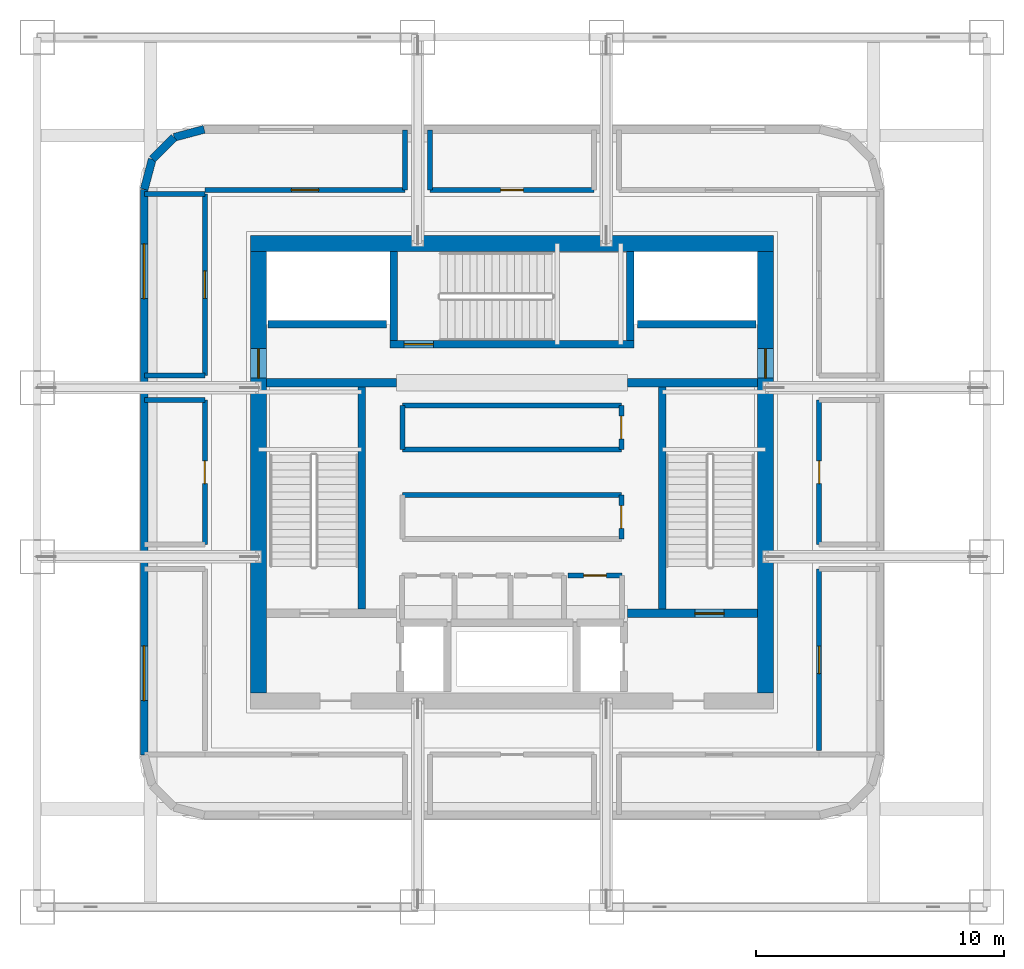
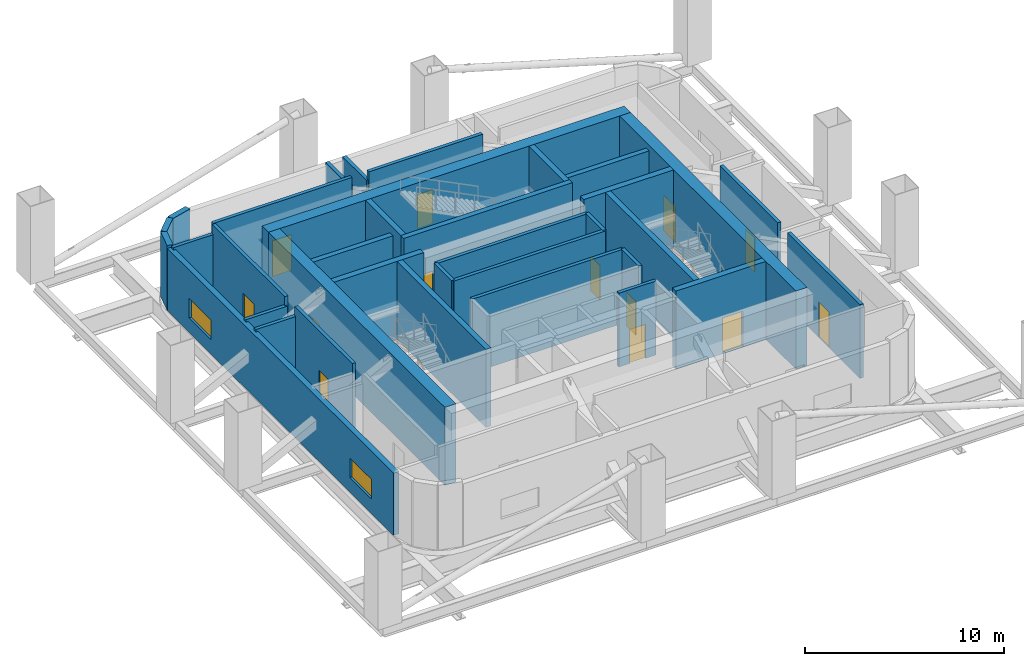
# One storey, part 5 of 9: 35 walls, 13 doors, 2 windows, 15 openings.
"""IFC4 building model written with IfcOpenShell, lengths in metres."""

from ifc_helpers import new_model, si_unit, direction, frame, frame_2d, origin, place, context, subcontext, project, spatial, rectangle, extrude, material, layer, layer_set, type_object, element, fill, save


model = new_model("IFC4")

# Units and contexts
model_context = context("Model", 3, precision=1e-05, world=origin(), true_north=direction((0.0, 1.0)))
body_context = subcontext(model_context, "Body", "Model", "MODEL_VIEW")
ifc_project = project(units=[si_unit("LENGTHUNIT", "METRE"), si_unit("AREAUNIT", "SQUARE_METRE"), si_unit("VOLUMEUNIT", "CUBIC_METRE"), si_unit("PLANEANGLEUNIT", "RADIAN"), si_unit("MASSUNIT", "GRAM", prefix="KILO")], contexts=[model_context])

# Site, building, storey
site_placement = place(None, origin())
site = spatial("IfcSite", under=ifc_project, at=site_placement, CompositionType="ELEMENT")
building_placement = place(site_placement, origin())
building = spatial("IfcBuilding", under=site, at=building_placement, Name="Punatoya Terracotta Tower", CompositionType="ELEMENT")
storey_placement = place(building_placement, frame((0.0, 0.0, 130.199951171875)))
storey = spatial("IfcBuildingStorey", under=building, at=storey_placement, Name="L30", CompositionType="ELEMENT", Elevation=130.199951171875)

# Wall, opening, door
ifc_material_1 = material(Name="Concrete C60/75", Category="concrete")
ifc_layer_1 = layer(ifc_material_1, 0.64990234375)
ifc_layer_set_1 = layer_set([ifc_layer_1], Name="Concrete C60/75")
wall_type_1 = type_object("IfcWallType", Name="WL-COR-650", PredefinedType="SHEAR", material=ifc_layer_set_1)
wall_1_placement = place(storey_placement, frame((-10.199951171875, -8.875, 0.0), z_axis=(0.0, 0.0, 1.0), x_axis=(0.0, 1.0, 0.0)))
wall_1 = element("IfcWall", 1, at=wall_1_placement, inside=storey, type_object=wall_type_1, Name="L30 Core Shear Wall W", PredefinedType="SHEAR", context=body_context, shape_type="SweptSolid", body=[
    extrude(rectangle(XDim=17.75, YDim=0.64990234375, at=frame_2d((8.875, 0.0))), origin(), (0.0, 0.0, 1.0), 4.800048828125),
])
opening_1_placement = place(wall_1_placement, frame((12.6650390625, 0.0, 0.0)))
opening_1 = element("IfcOpeningElement", 2, at=opening_1_placement, cuts=wall_1, Name="Opening SD-01", PredefinedType="OPENING", context=body_context, shape_type="SweptSolid", body=[
    extrude(rectangle(XDim=1.179931640625, YDim=2.199951171875, at=frame_2d((0.58984375, 1.10009765625))), frame((0.0, 0.3349609375, 0.0), z_axis=(0.0, -1.0, 0.0), x_axis=(1.0, 0.0, 0.0)), (0.0, 0.0, 1.0), 0.669921875),
])
ifc_material_2 = material(Name="Galvanised Steel Pressurized Stair Fire Door", Category="steel")
door_type_1 = type_object("IfcDoorType", Name="DR-STR-1180", OperationType="NOTDEFINED", PredefinedType="DOOR", material=ifc_material_2)
door_1_placement = place(opening_1_placement, origin())
door_1 = element("IfcDoor", 3, at=door_1_placement, inside=storey, type_object=door_type_1, Name="L30 Central Lift Lobby West Fire Door", OperationType="SINGLE_SWING_LEFT", OverallHeight=2.199951171875, OverallWidth=1.179931640625, PredefinedType="DOOR", context=body_context, shape_type="SweptSolid", body=[
    extrude(rectangle(XDim=1.179931640625, YDim=2.199951171875, at=frame_2d((0.58984375, 1.10009765625))), frame((0.0, 0.02490234375, 0.0), z_axis=(0.0, -1.0, 0.0), x_axis=(1.0, 0.0, 0.0)), (0.0, 0.0, 1.0), 0.050048828125),
])
fill(opening_1, door_1)

# Wall
wall_2_placement = place(storey_placement, frame((-10.52490234375, 9.199951171875, 0.0), z_axis=(0.0, 0.0, 1.0), x_axis=(1.0, 0.0, 0.0)))
element("IfcWall", 4, at=wall_2_placement, inside=storey, type_object=wall_type_1, Name="L30 Core Shear Wall N", PredefinedType="SHEAR", context=body_context, shape_type="SweptSolid", body=[
    extrude(rectangle(XDim=21.0498046875, YDim=0.64990234375, at=frame_2d((10.52490234375, 0.0))), origin(), (0.0, 0.0, 1.0), 4.800048828125),
])

# Wall, opening, door
wall_3_placement = place(storey_placement, frame((10.199951171875, 8.875, 0.0), z_axis=(0.0, 0.0, 1.0), x_axis=(0.0, -1.0, 0.0)))
wall_3 = element("IfcWall", 5, at=wall_3_placement, inside=storey, type_object=wall_type_1, Name="L30 Core Shear Wall E", PredefinedType="SHEAR", context=body_context, shape_type="SweptSolid", body=[
    extrude(rectangle(XDim=17.75, YDim=0.64990234375, at=frame_2d((8.875, 0.0))), origin(), (0.0, 0.0, 1.0), 4.800048828125),
])
opening_2_placement = place(wall_3_placement, frame((3.905029296875, 0.0, 0.0)))
opening_2 = element("IfcOpeningElement", 6, at=opening_2_placement, cuts=wall_3, Name="Opening SD-01", PredefinedType="OPENING", context=body_context, shape_type="SweptSolid", body=[
    extrude(rectangle(XDim=1.179931640625, YDim=2.199951171875, at=frame_2d((0.58984375, 1.10009765625))), frame((0.0, 0.3349609375, 0.0), z_axis=(0.0, -1.0, 0.0), x_axis=(1.0, 0.0, 0.0)), (0.0, 0.0, 1.0), 0.669921875),
])
door_2_placement = place(opening_2_placement, origin())
door_2 = element("IfcDoor", 7, at=door_2_placement, inside=storey, type_object=door_type_1, Name="L30 Central Lift Lobby East Fire Door", OperationType="SINGLE_SWING_RIGHT", OverallHeight=2.199951171875, OverallWidth=1.179931640625, PredefinedType="DOOR", context=body_context, shape_type="SweptSolid", body=[
    extrude(rectangle(XDim=1.179931640625, YDim=2.199951171875, at=frame_2d((0.58984375, 1.10009765625))), frame((0.0, 0.02490234375, 0.0), z_axis=(0.0, -1.0, 0.0), x_axis=(1.0, 0.0, 0.0)), (0.0, 0.0, 1.0), 0.050048828125),
])
fill(opening_2, door_2)

# Walls
ifc_material_3 = material(Name="Precast concrete C40/50", Category="concrete")
ifc_layer_2 = layer(ifc_material_3, 0.320068359375)
ifc_layer_set_2 = layer_set([ifc_layer_2], Name="Precast concrete C40/50")
wall_type_2 = type_object("IfcWallType", Name="WL-EXT-320", PredefinedType="SOLIDWALL", material=ifc_layer_set_2)
wall_4_placement = place(storey_placement, frame((-12.386962890625, 13.800048828125, 0.0), z_axis=(0.0, 0.0, 1.0), x_axis=(-0.966283375382, -0.25748094776, 0.0)))
element("IfcWall", 8, at=wall_4_placement, inside=storey, type_object=wall_type_2, Name="L30 Rounded Terracotta Corner Pier 10", PredefinedType="SOLIDWALL", context=body_context, shape_type="SweptSolid", body=[
    extrude(rectangle(XDim=1.25439453125, YDim=0.320068359375, at=frame_2d((0.627197265625, 0.0))), origin(), (0.0, 0.0, 1.0), 3.984130859375),
])
wall_5_placement = place(storey_placement, frame((-13.59912109375, 13.47705078125, 0.0), z_axis=(0.0, 0.0, 1.0), x_axis=(-0.707106781187, -0.707106781187, 0.0)))
element("IfcWall", 9, at=wall_5_placement, inside=storey, type_object=wall_type_2, Name="L30 Rounded Terracotta Corner Pier 11", PredefinedType="SOLIDWALL", context=body_context, shape_type="SweptSolid", body=[
    extrude(rectangle(XDim=1.24169921875, YDim=0.320068359375, at=frame_2d((0.620849609375, 0.0))), origin(), (0.0, 0.0, 1.0), 3.984130859375),
])
wall_6_placement = place(storey_placement, frame((-14.47705078125, 12.59912109375, 0.0), z_axis=(0.0, 0.0, 1.0), x_axis=(-0.25748094776, -0.966283375382, 0.0)))
element("IfcWall", 10, at=wall_6_placement, inside=storey, type_object=wall_type_2, Name="L30 Rounded Terracotta Corner Pier 12", PredefinedType="SOLIDWALL", context=body_context, shape_type="SweptSolid", body=[
    extrude(rectangle(XDim=1.25439453125, YDim=0.320068359375, at=frame_2d((0.627197265625, 0.0))), origin(), (0.0, 0.0, 1.0), 3.984130859375),
])

# Wall, openings, windows
wall_7_placement = place(storey_placement, frame((-14.800048828125, 11.386962890625, 0.0), z_axis=(0.0, 0.0, 1.0), x_axis=(0.0, -1.0, 0.0)))
wall_7 = element("IfcWall", 11, at=wall_7_placement, inside=storey, type_object=wall_type_2, Name="L30 Terracotta Louvre Plant Enclosure W", PredefinedType="SOLIDWALL", context=body_context, shape_type="SweptSolid", body=[
    extrude(rectangle(XDim=22.77392578125, YDim=0.320068359375, at=frame_2d((11.386962890625, 0.0))), origin(), (0.0, 0.0, 1.0), 3.833984375),
])
opening_3_placement = place(wall_7_placement, frame((2.199951171875, 0.0, 0.89990234375)))
opening_3 = element("IfcOpeningElement", 12, at=opening_3_placement, cuts=wall_7, Name="Opening WN-09", PredefinedType="OPENING", context=body_context, shape_type="SweptSolid", body=[
    extrude(rectangle(XDim=2.199951171875, YDim=1.199951171875, at=frame_2d((1.10009765625, 0.60009765625))), frame((0.0, 0.169921875, 0.0), z_axis=(0.0, -1.0, 0.0), x_axis=(1.0, 0.0, 0.0)), (0.0, 0.0, 1.0), 0.340087890625),
])
opening_4_placement = place(wall_7_placement, frame((18.373779296875, 0.0, 0.89990234375)))
opening_4 = element("IfcOpeningElement", 13, at=opening_4_placement, cuts=wall_7, Name="Opening WN-09", PredefinedType="OPENING", context=body_context, shape_type="SweptSolid", body=[
    extrude(rectangle(XDim=2.199951171875, YDim=1.199951171875, at=frame_2d((1.10009765625, 0.60009765625))), frame((0.0, 0.169921875, 0.0), z_axis=(0.0, -1.0, 0.0), x_axis=(1.0, 0.0, 0.0)), (0.0, 0.0, 1.0), 0.340087890625),
])
ifc_material_4 = material(Name="Aluminium 6063-T6 + Double Low-E Glass", Category="aluminium")
window_type = type_object("IfcWindowType", Name="WIN-CLR-2200", PartitioningType="SINGLE_PANEL", PredefinedType="WINDOW", material=ifc_material_4)
window_1_placement = place(opening_3_placement, origin())
window_1 = element("IfcWindow", 14, at=window_1_placement, inside=storey, type_object=window_type, Name="L30 Refuge Daylight Window W1", OverallHeight=1.199951171875, OverallWidth=2.199951171875, PartitioningType="SINGLE_PANEL", PredefinedType="WINDOW", context=body_context, shape_type="SweptSolid", body=[
    extrude(rectangle(XDim=2.199951171875, YDim=1.199951171875, at=frame_2d((1.10009765625, 0.60009765625))), frame((0.0, 0.030029296875, 0.0), z_axis=(0.0, -1.0, 0.0), x_axis=(1.0, 0.0, 0.0)), (0.0, 0.0, 1.0), 0.06005859375),
])
fill(opening_3, window_1)
window_2_placement = place(opening_4_placement, origin())
window_2 = element("IfcWindow", 15, at=window_2_placement, inside=storey, type_object=window_type, Name="L30 Refuge Daylight Window W2", OverallHeight=1.199951171875, OverallWidth=2.199951171875, PartitioningType="SINGLE_PANEL", PredefinedType="WINDOW", context=body_context, shape_type="SweptSolid", body=[
    extrude(rectangle(XDim=2.199951171875, YDim=1.199951171875, at=frame_2d((1.10009765625, 0.60009765625))), frame((0.0, 0.030029296875, 0.0), z_axis=(0.0, -1.0, 0.0), x_axis=(1.0, 0.0, 0.0)), (0.0, 0.0, 1.0), 0.06005859375),
])
fill(opening_4, window_2)

# Wall, opening, door
ifc_material_5 = material(Name="Concrete C40/50", Category="concrete")
ifc_layer_3 = layer(ifc_material_5, 0.199951171875)
ifc_layer_set_3 = layer_set([ifc_layer_3], Name="Concrete C40/50")
wall_type_3 = type_object("IfcWallType", Name="WL-INT-200", PredefinedType="SOLIDWALL", material=ifc_layer_set_3)
wall_8_placement = place(storey_placement, frame((4.419921875, -4.159912109375, 0.0), z_axis=(0.0, 0.0, 1.0), x_axis=(-1.0, 0.0, 0.0)))
wall_8 = element("IfcWall", 16, at=wall_8_placement, inside=storey, type_object=wall_type_3, Name="L30 Core Electrical Switchgear Room Partition 09", PredefinedType="SOLIDWALL", context=body_context, shape_type="SweptSolid", body=[
    extrude(rectangle(XDim=2.159912109375, YDim=0.199951171875, at=frame_2d((1.080078125, 0.0))), origin(), (0.0, 0.0, 1.0), 4.5400390625),
])
opening_5_placement = place(wall_8_placement, frame((0.6201171875, 0.0, 0.0)))
opening_5 = element("IfcOpeningElement", 17, at=opening_5_placement, cuts=wall_8, Name="Opening FD-R1", PredefinedType="OPENING", context=body_context, shape_type="SweptSolid", body=[
    extrude(rectangle(XDim=0.919921875, YDim=2.10009765625, at=frame_2d((0.4599609375, 1.050048828125))), frame((0.0, 0.10986328125, 0.0), z_axis=(0.0, -1.0, 0.0), x_axis=(1.0, 0.0, 0.0)), (0.0, 0.0, 1.0), 0.219970703125),
])
ifc_material_6 = material(Name="Galvanised Steel Riser Fire Access Door", Category="steel")
door_type_2 = type_object("IfcDoorType", Name="DR-RSR-920", OperationType="NOTDEFINED", PredefinedType="DOOR", material=ifc_material_6)
door_3_placement = place(opening_5_placement, origin())
door_3 = element("IfcDoor", 18, at=door_3_placement, inside=storey, type_object=door_type_2, Name="L30 Core Electrical Switchgear Room Fire Door", OperationType="SINGLE_SWING_RIGHT", OverallHeight=2.10009765625, OverallWidth=0.919921875, PredefinedType="DOOR", context=body_context, shape_type="SweptSolid", body=[
    extrude(rectangle(XDim=0.919921875, YDim=2.10009765625, at=frame_2d((0.4599609375, 1.050048828125))), frame((0.0, 0.02490234375, 0.0), z_axis=(0.0, -1.0, 0.0), x_axis=(1.0, 0.0, 0.0)), (0.0, 0.0, 1.0), 0.050048828125),
])
fill(opening_5, door_3)

wall_9_placement = place(storey_placement, frame((4.39990234375, -2.679931640625, 0.0), z_axis=(0.0, 0.0, 1.0), x_axis=(0.0, 1.0, 0.0)))
wall_9 = element("IfcWall", 19, at=wall_9_placement, inside=storey, type_object=wall_type_3, Name="L30 Zone Mechanical Riser Plant Partition 10", PredefinedType="SOLIDWALL", context=body_context, shape_type="SweptSolid", body=[
    extrude(rectangle(XDim=1.760009765625, YDim=0.199951171875, at=frame_2d((0.8798828125, 0.0))), origin(), (0.0, 0.0, 1.0), 4.5400390625),
])
opening_6_placement = place(wall_9_placement, frame((0.419921875, 0.0, 0.0)))
opening_6 = element("IfcOpeningElement", 20, at=opening_6_placement, cuts=wall_9, Name="Opening FD-R1", PredefinedType="OPENING", context=body_context, shape_type="SweptSolid", body=[
    extrude(rectangle(XDim=0.919921875, YDim=2.10009765625, at=frame_2d((0.4599609375, 1.050048828125))), frame((0.0, 0.10986328125, 0.0), z_axis=(0.0, -1.0, 0.0), x_axis=(1.0, 0.0, 0.0)), (0.0, 0.0, 1.0), 0.219970703125),
])
door_4_placement = place(opening_6_placement, origin())
door_4 = element("IfcDoor", 21, at=door_4_placement, inside=storey, type_object=door_type_2, Name="L30 Zone Mechanical Riser Plant Fire Door", OperationType="SINGLE_SWING_LEFT", OverallHeight=2.10009765625, OverallWidth=0.919921875, PredefinedType="DOOR", context=body_context, shape_type="SweptSolid", body=[
    extrude(rectangle(XDim=0.919921875, YDim=2.10009765625, at=frame_2d((0.4599609375, 1.050048828125))), frame((0.0, 0.02490234375, 0.0), z_axis=(0.0, -1.0, 0.0), x_axis=(1.0, 0.0, 0.0)), (0.0, 0.0, 1.0), 0.050048828125),
])
fill(opening_6, door_4)

# Wall
wall_10_placement = place(storey_placement, frame((4.39990234375, -0.919921875, 0.0), z_axis=(0.0, 0.0, 1.0), x_axis=(-1.0, 0.0, 0.0)))
element("IfcWall", 22, at=wall_10_placement, inside=storey, type_object=wall_type_3, Name="L30 Zone Mechanical Riser Plant Partition 11", PredefinedType="SOLIDWALL", context=body_context, shape_type="SweptSolid", body=[
    extrude(rectangle(XDim=8.7998046875, YDim=0.199951171875, at=frame_2d((4.39990234375, 0.0))), origin(), (0.0, 0.0, 1.0), 4.5400390625),
])

# Wall, opening, door
wall_11_placement = place(storey_placement, frame((4.39990234375, 0.919921875, 0.0), z_axis=(0.0, 0.0, 1.0), x_axis=(0.0, 1.0, 0.0)))
wall_11 = element("IfcWall", 23, at=wall_11_placement, inside=storey, type_object=wall_type_3, Name="L30 Zone Mechanical Riser Plant Partition 14", PredefinedType="SOLIDWALL", context=body_context, shape_type="SweptSolid", body=[
    extrude(rectangle(XDim=1.760009765625, YDim=0.199951171875, at=frame_2d((0.8798828125, 0.0))), origin(), (0.0, 0.0, 1.0), 4.5400390625),
])
opening_7_placement = place(wall_11_placement, frame((0.419921875, 0.0, 0.0)))
opening_7 = element("IfcOpeningElement", 24, at=opening_7_placement, cuts=wall_11, Name="Opening FD-R1", PredefinedType="OPENING", context=body_context, shape_type="SweptSolid", body=[
    extrude(rectangle(XDim=0.919921875, YDim=2.10009765625, at=frame_2d((0.4599609375, 1.050048828125))), frame((0.0, 0.10986328125, 0.0), z_axis=(0.0, -1.0, 0.0), x_axis=(1.0, 0.0, 0.0)), (0.0, 0.0, 1.0), 0.219970703125),
])
door_5_placement = place(opening_7_placement, origin())
door_5 = element("IfcDoor", 25, at=door_5_placement, inside=storey, type_object=door_type_2, Name="L30 Zone Mechanical Riser Plant Fire Door", OperationType="SINGLE_SWING_RIGHT", OverallHeight=2.10009765625, OverallWidth=0.919921875, PredefinedType="DOOR", context=body_context, shape_type="SweptSolid", body=[
    extrude(rectangle(XDim=0.919921875, YDim=2.10009765625, at=frame_2d((0.4599609375, 1.050048828125))), frame((0.0, 0.02490234375, 0.0), z_axis=(0.0, -1.0, 0.0), x_axis=(1.0, 0.0, 0.0)), (0.0, 0.0, 1.0), 0.050048828125),
])
fill(opening_7, door_5)

# Walls
wall_12_placement = place(storey_placement, frame((4.39990234375, 2.679931640625, 0.0), z_axis=(0.0, 0.0, 1.0), x_axis=(-1.0, 0.0, 0.0)))
element("IfcWall", 26, at=wall_12_placement, inside=storey, type_object=wall_type_3, Name="L30 Zone Mechanical Riser Plant Partition 15", PredefinedType="SOLIDWALL", context=body_context, shape_type="SweptSolid", body=[
    extrude(rectangle(XDim=8.7998046875, YDim=0.199951171875, at=frame_2d((4.39990234375, 0.0))), origin(), (0.0, 0.0, 1.0), 4.5400390625),
])
wall_13_placement = place(storey_placement, frame((-4.39990234375, 2.679931640625, 0.0), z_axis=(0.0, 0.0, 1.0), x_axis=(0.0, -1.0, 0.0)))
element("IfcWall", 27, at=wall_13_placement, inside=storey, type_object=wall_type_3, Name="L30 Zone Mechanical Riser Plant Partition 16", PredefinedType="SOLIDWALL", context=body_context, shape_type="SweptSolid", body=[
    extrude(rectangle(XDim=1.760009765625, YDim=0.199951171875, at=frame_2d((0.8798828125, 0.0))), origin(), (0.0, 0.0, 1.0), 4.5400390625),
])
wall_14_placement = place(storey_placement, frame((-4.39990234375, 0.919921875, 0.0), z_axis=(0.0, 0.0, 1.0), x_axis=(1.0, 0.0, 0.0)))
element("IfcWall", 28, at=wall_14_placement, inside=storey, type_object=wall_type_3, Name="L30 Zone Mechanical Riser Plant Partition 17", PredefinedType="SOLIDWALL", context=body_context, shape_type="SweptSolid", body=[
    extrude(rectangle(XDim=8.7998046875, YDim=0.199951171875, at=frame_2d((4.39990234375, 0.0))), origin(), (0.0, 0.0, 1.0), 4.5400390625),
])

# Wall, opening, door
wall_15_placement = place(storey_placement, frame((-12.360107421875, 2.89990234375, 0.0), z_axis=(0.0, 0.0, 1.0), x_axis=(0.0, -1.0, 0.0)))
wall_15 = element("IfcWall", 29, at=wall_15_placement, inside=storey, type_object=wall_type_3, Name="L30 West Outrigger Truss & Smoke-Extract Plant Room (Central Bay) Partition 29", PredefinedType="SOLIDWALL", context=body_context, shape_type="SweptSolid", body=[
    extrude(rectangle(XDim=5.7998046875, YDim=0.199951171875, at=frame_2d((2.89990234375, 0.0))), origin(), (0.0, 0.0, 1.0), 4.5400390625),
])
opening_8_placement = place(wall_15_placement, frame((2.43994140625, 0.0, 0.0)))
opening_8 = element("IfcOpeningElement", 30, at=opening_8_placement, cuts=wall_15, Name="Opening FD-R1", PredefinedType="OPENING", context=body_context, shape_type="SweptSolid", body=[
    extrude(rectangle(XDim=0.919921875, YDim=2.10009765625, at=frame_2d((0.4599609375, 1.050048828125))), frame((0.0, 0.10986328125, 0.0), z_axis=(0.0, -1.0, 0.0), x_axis=(1.0, 0.0, 0.0)), (0.0, 0.0, 1.0), 0.219970703125),
])
door_6_placement = place(opening_8_placement, origin())
door_6 = element("IfcDoor", 31, at=door_6_placement, inside=storey, type_object=door_type_2, Name="L30 West Outrigger Truss & Smoke-Extract Plant Room (Central Bay) Fire Door", OperationType="SINGLE_SWING_LEFT", OverallHeight=2.10009765625, OverallWidth=0.919921875, PredefinedType="DOOR", context=body_context, shape_type="SweptSolid", body=[
    extrude(rectangle(XDim=0.919921875, YDim=2.10009765625, at=frame_2d((0.4599609375, 1.050048828125))), frame((0.0, 0.02490234375, 0.0), z_axis=(0.0, -1.0, 0.0), x_axis=(1.0, 0.0, 0.0)), (0.0, 0.0, 1.0), 0.050048828125),
])
fill(opening_8, door_6)

# Walls
for number, where, z_axis, x_axis, name in (
    (32, (-14.780029296875, 2.89990234375, 0.0), (0.0, 0.0, 1.0), (1.0, 0.0, 0.0), "L30 West Outrigger Truss & Smoke-Extract Plant Room (Central Bay) Partition 31"),
    (33, (-12.360107421875, 3.89990234375, 0.0), (0.0, 0.0, 1.0), (-1.0, 0.0, 0.0), "L30 West Outrigger Truss & Smoke-Extract Plant Room (North Bay) Partition 32"),
    (34, (-14.780029296875, 11.199951171875, 0.0), (0.0, 0.0, 1.0), (1.0, 0.0, 0.0), "L30 West Outrigger Truss & Smoke-Extract Plant Room (North Bay) Partition 33"),
):
    element("IfcWall", number, at=place(storey_placement, frame(where, z_axis=z_axis, x_axis=x_axis)), inside=storey, type_object=wall_type_3, Name=name, PredefinedType="SOLIDWALL", context=body_context, shape_type="SweptSolid", body=[
        extrude(rectangle(XDim=2.419921875, YDim=0.199951171875, at=frame_2d((1.2099609375, 0.0))), origin(), (0.0, 0.0, 1.0), 3.984130859375),
    ])

# Wall, opening, door
wall_16_placement = place(storey_placement, frame((-12.360107421875, 11.199951171875, 0.0), z_axis=(0.0, 0.0, 1.0), x_axis=(0.0, -1.0, 0.0)))
wall_16 = element("IfcWall", 35, at=wall_16_placement, inside=storey, type_object=wall_type_3, Name="L30 West Outrigger Truss & Smoke-Extract Plant Room (North Bay) Partition 34", PredefinedType="SOLIDWALL", context=body_context, shape_type="SweptSolid", body=[
    extrude(rectangle(XDim=7.300048828125, YDim=0.199951171875, at=frame_2d((3.64990234375, 0.0))), origin(), (0.0, 0.0, 1.0), 4.5400390625),
])
opening_9_placement = place(wall_16_placement, frame((3.10009765625, 0.0, 0.0)))
opening_9 = element("IfcOpeningElement", 36, at=opening_9_placement, cuts=wall_16, Name="Opening FD-P1", PredefinedType="OPENING", context=body_context, shape_type="SweptSolid", body=[
    extrude(rectangle(XDim=1.10009765625, YDim=2.199951171875, at=frame_2d((0.550048828125, 1.10009765625))), frame((0.0, 0.10986328125, 0.0), z_axis=(0.0, -1.0, 0.0), x_axis=(1.0, 0.0, 0.0)), (0.0, 0.0, 1.0), 0.219970703125),
])
ifc_material_7 = material(Name="Galvanised Steel Plant Fire Door", Category="steel")
door_type_3 = type_object("IfcDoorType", Name="DR-PLT-1100", OperationType="NOTDEFINED", PredefinedType="DOOR", material=ifc_material_7)
door_7_placement = place(opening_9_placement, origin())
door_7 = element("IfcDoor", 37, at=door_7_placement, inside=storey, type_object=door_type_3, Name="L30 West Outrigger Truss & Smoke-Extract Plant Room (North Bay) Fire Door", OperationType="SINGLE_SWING_RIGHT", OverallHeight=2.199951171875, OverallWidth=1.10009765625, PredefinedType="DOOR", context=body_context, shape_type="SweptSolid", body=[
    extrude(rectangle(XDim=1.10009765625, YDim=2.199951171875, at=frame_2d((0.550048828125, 1.10009765625))), frame((0.0, 0.02490234375, 0.0), z_axis=(0.0, -1.0, 0.0), x_axis=(1.0, 0.0, 0.0)), (0.0, 0.0, 1.0), 0.050048828125),
])
fill(opening_9, door_7)

wall_17_placement = place(storey_placement, frame((12.360107421875, -11.199951171875, 0.0), z_axis=(0.0, 0.0, 1.0), x_axis=(0.0, 1.0, 0.0)))
wall_17 = element("IfcWall", 38, at=wall_17_placement, inside=storey, type_object=wall_type_3, Name="L30 East Outrigger Truss & Heat-Exchanger Plant Room (South Bay) Partition 36", PredefinedType="SOLIDWALL", context=body_context, shape_type="SweptSolid", body=[
    extrude(rectangle(XDim=7.300048828125, YDim=0.199951171875, at=frame_2d((3.64990234375, 0.0))), origin(), (0.0, 0.0, 1.0), 4.5400390625),
])
opening_10_placement = place(wall_17_placement, frame((3.10009765625, 0.0, 0.0)))
opening_10 = element("IfcOpeningElement", 39, at=opening_10_placement, cuts=wall_17, Name="Opening FD-P1", PredefinedType="OPENING", context=body_context, shape_type="SweptSolid", body=[
    extrude(rectangle(XDim=1.10009765625, YDim=2.199951171875, at=frame_2d((0.550048828125, 1.10009765625))), frame((0.0, 0.10986328125, 0.0), z_axis=(0.0, -1.0, 0.0), x_axis=(1.0, 0.0, 0.0)), (0.0, 0.0, 1.0), 0.219970703125),
])
door_8_placement = place(opening_10_placement, origin())
door_8 = element("IfcDoor", 40, at=door_8_placement, inside=storey, type_object=door_type_3, Name="L30 East Outrigger Truss & Heat-Exchanger Plant Room (South Bay) Fire Door", OperationType="SINGLE_SWING_LEFT", OverallHeight=2.199951171875, OverallWidth=1.10009765625, PredefinedType="DOOR", context=body_context, shape_type="SweptSolid", body=[
    extrude(rectangle(XDim=1.10009765625, YDim=2.199951171875, at=frame_2d((0.550048828125, 1.10009765625))), frame((0.0, 0.02490234375, 0.0), z_axis=(0.0, -1.0, 0.0), x_axis=(1.0, 0.0, 0.0)), (0.0, 0.0, 1.0), 0.050048828125),
])
fill(opening_10, door_8)

wall_18_placement = place(storey_placement, frame((12.360107421875, -2.89990234375, 0.0), z_axis=(0.0, 0.0, 1.0), x_axis=(0.0, 1.0, 0.0)))
wall_18 = element("IfcWall", 41, at=wall_18_placement, inside=storey, type_object=wall_type_3, Name="L30 East Outrigger Truss & Heat-Exchanger Plant Room (Central Bay) Partition 37", PredefinedType="SOLIDWALL", context=body_context, shape_type="SweptSolid", body=[
    extrude(rectangle(XDim=5.7998046875, YDim=0.199951171875, at=frame_2d((2.89990234375, 0.0))), origin(), (0.0, 0.0, 1.0), 4.5400390625),
])
opening_11_placement = place(wall_18_placement, frame((2.43994140625, 0.0, 0.0)))
opening_11 = element("IfcOpeningElement", 42, at=opening_11_placement, cuts=wall_18, Name="Opening FD-R1", PredefinedType="OPENING", context=body_context, shape_type="SweptSolid", body=[
    extrude(rectangle(XDim=0.919921875, YDim=2.10009765625, at=frame_2d((0.4599609375, 1.050048828125))), frame((0.0, 0.10986328125, 0.0), z_axis=(0.0, -1.0, 0.0), x_axis=(1.0, 0.0, 0.0)), (0.0, 0.0, 1.0), 0.219970703125),
])
door_9_placement = place(opening_11_placement, origin())
door_9 = element("IfcDoor", 43, at=door_9_placement, inside=storey, type_object=door_type_2, Name="L30 East Outrigger Truss & Heat-Exchanger Plant Room (Central Bay) Fire Door", OperationType="SINGLE_SWING_RIGHT", OverallHeight=2.10009765625, OverallWidth=0.919921875, PredefinedType="DOOR", context=body_context, shape_type="SweptSolid", body=[
    extrude(rectangle(XDim=0.919921875, YDim=2.10009765625, at=frame_2d((0.4599609375, 1.050048828125))), frame((0.0, 0.02490234375, 0.0), z_axis=(0.0, -1.0, 0.0), x_axis=(1.0, 0.0, 0.0)), (0.0, 0.0, 1.0), 0.050048828125),
])
fill(opening_11, door_9)

# Wall
wall_19_placement = place(storey_placement, frame((-4.300048828125, 13.780029296875, 0.0), z_axis=(0.0, 0.0, 1.0), x_axis=(0.0, -1.0, 0.0)))
element("IfcWall", 44, at=wall_19_placement, inside=storey, type_object=wall_type_3, Name="L30 Designated Pressurized Refuge Area North (West Bay) Partition 43", PredefinedType="SOLIDWALL", context=body_context, shape_type="SweptSolid", body=[
    extrude(rectangle(XDim=2.419921875, YDim=0.199951171875, at=frame_2d((1.2099609375, 0.0))), origin(), (0.0, 0.0, 1.0), 3.984130859375),
])

# Wall, opening, door
wall_20_placement = place(storey_placement, frame((-4.300048828125, 11.360107421875, 0.0), z_axis=(0.0, 0.0, 1.0), x_axis=(-1.0, 0.0, 0.0)))
wall_20 = element("IfcWall", 45, at=wall_20_placement, inside=storey, type_object=wall_type_3, Name="L30 Designated Pressurized Refuge Area North (West Bay) Partition 44", PredefinedType="SOLIDWALL", context=body_context, shape_type="SweptSolid", body=[
    extrude(rectangle(XDim=8.06005859375, YDim=0.199951171875, at=frame_2d((4.030029296875, 0.0))), origin(), (0.0, 0.0, 1.0), 4.5400390625),
])
opening_12_placement = place(wall_20_placement, frame((3.47998046875, 0.0, 0.0)))
opening_12 = element("IfcOpeningElement", 46, at=opening_12_placement, cuts=wall_20, Name="Opening FD-P1", PredefinedType="OPENING", context=body_context, shape_type="SweptSolid", body=[
    extrude(rectangle(XDim=1.10009765625, YDim=2.199951171875, at=frame_2d((0.550048828125, 1.10009765625))), frame((0.0, 0.10986328125, 0.0), z_axis=(0.0, -1.0, 0.0), x_axis=(1.0, 0.0, 0.0)), (0.0, 0.0, 1.0), 0.219970703125),
])
door_10_placement = place(opening_12_placement, origin())
door_10 = element("IfcDoor", 47, at=door_10_placement, inside=storey, type_object=door_type_3, Name="L30 Designated Pressurized Refuge Area North (West Bay) Fire Door", OperationType="SINGLE_SWING_RIGHT", OverallHeight=2.199951171875, OverallWidth=1.10009765625, PredefinedType="DOOR", context=body_context, shape_type="SweptSolid", body=[
    extrude(rectangle(XDim=1.10009765625, YDim=2.199951171875, at=frame_2d((0.550048828125, 1.10009765625))), frame((0.0, 0.02490234375, 0.0), z_axis=(0.0, -1.0, 0.0), x_axis=(1.0, 0.0, 0.0)), (0.0, 0.0, 1.0), 0.050048828125),
])
fill(opening_12, door_10)

wall_21_placement = place(storey_placement, frame((3.300048828125, 11.360107421875, 0.0), z_axis=(0.0, 0.0, 1.0), x_axis=(-1.0, 0.0, 0.0)))
wall_21 = element("IfcWall", 48, at=wall_21_placement, inside=storey, type_object=wall_type_3, Name="L30 Designated Pressurized Refuge Area North (Central Bay) Partition 45", PredefinedType="SOLIDWALL", context=body_context, shape_type="SweptSolid", body=[
    extrude(rectangle(XDim=6.60009765625, YDim=0.199951171875, at=frame_2d((3.300048828125, 0.0))), origin(), (0.0, 0.0, 1.0), 4.5400390625),
])
opening_13_placement = place(wall_21_placement, frame((2.840087890625, 0.0, 0.0)))
opening_13 = element("IfcOpeningElement", 49, at=opening_13_placement, cuts=wall_21, Name="Opening FD-R1", PredefinedType="OPENING", context=body_context, shape_type="SweptSolid", body=[
    extrude(rectangle(XDim=0.919921875, YDim=2.10009765625, at=frame_2d((0.4599609375, 1.050048828125))), frame((0.0, 0.10986328125, 0.0), z_axis=(0.0, -1.0, 0.0), x_axis=(1.0, 0.0, 0.0)), (0.0, 0.0, 1.0), 0.219970703125),
])
door_11_placement = place(opening_13_placement, origin())
door_11 = element("IfcDoor", 50, at=door_11_placement, inside=storey, type_object=door_type_2, Name="L30 Designated Pressurized Refuge Area North (Central Bay) Fire Door", OperationType="SINGLE_SWING_LEFT", OverallHeight=2.10009765625, OverallWidth=0.919921875, PredefinedType="DOOR", context=body_context, shape_type="SweptSolid", body=[
    extrude(rectangle(XDim=0.919921875, YDim=2.10009765625, at=frame_2d((0.4599609375, 1.050048828125))), frame((0.0, 0.02490234375, 0.0), z_axis=(0.0, -1.0, 0.0), x_axis=(1.0, 0.0, 0.0)), (0.0, 0.0, 1.0), 0.050048828125),
])
fill(opening_13, door_11)

# Walls
wall_22_placement = place(storey_placement, frame((-3.300048828125, 11.360107421875, 0.0), z_axis=(0.0, 0.0, 1.0), x_axis=(0.0, 1.0, 0.0)))
element("IfcWall", 51, at=wall_22_placement, inside=storey, type_object=wall_type_3, Name="L30 Designated Pressurized Refuge Area North (Central Bay) Partition 46", PredefinedType="SOLIDWALL", context=body_context, shape_type="SweptSolid", body=[
    extrude(rectangle(XDim=2.419921875, YDim=0.199951171875, at=frame_2d((1.2099609375, 0.0))), origin(), (0.0, 0.0, 1.0), 3.984130859375),
])
ifc_layer_4 = layer(ifc_material_5, 0.300048828125)
ifc_layer_set_4 = layer_set([ifc_layer_4], Name="Concrete C40/50")
wall_type_4 = type_object("IfcWallType", Name="WL-SHF-300", PredefinedType="SOLIDWALL", material=ifc_layer_set_4)
for number, where, z_axis, x_axis, name in (
    (52, (-6.050048828125, -5.5, 0.0), (0.0, 0.0, 1.0), (0.0, 1.0, 0.0), "L30 Structural Stair Shaft Wall SW-ST1-E"),
    (53, (6.050048828125, 3.449951171875, 0.0), (0.0, 0.0, 1.0), (0.0, -1.0, 0.0), "L30 Structural Stair Shaft Wall SW-ST2-W"),
):
    element("IfcWall", number, at=place(storey_placement, frame(where, z_axis=z_axis, x_axis=x_axis)), inside=storey, type_object=wall_type_4, Name=name, PredefinedType="SOLIDWALL", context=body_context, shape_type="SweptSolid", body=[
        extrude(rectangle(XDim=8.949951171875, YDim=0.300048828125, at=frame_2d((4.47509765625, 0.0))), origin(), (0.0, 0.0, 1.0), 4.800048828125),
    ])
for number, where, z_axis, x_axis, name in (
    (54, (-4.75, 5.300048828125, 0.0), (0.0, 0.0, 1.0), (0.0, 1.0, 0.0), "L30 Structural Stair Shaft Wall SW-ST3-W"),
    (55, (4.75, 8.875, 0.0), (0.0, 0.0, 1.0), (0.0, -1.0, 0.0), "L30 Structural Stair Shaft Wall SW-ST3-E"),
):
    element("IfcWall", number, at=place(storey_placement, frame(where, z_axis=z_axis, x_axis=x_axis)), inside=storey, type_object=wall_type_4, Name=name, PredefinedType="SOLIDWALL", context=body_context, shape_type="SweptSolid", body=[
        extrude(rectangle(XDim=3.574951171875, YDim=0.300048828125, at=frame_2d((1.78759765625, 0.0))), origin(), (0.0, 0.0, 1.0), 4.800048828125),
    ])

# Wall, opening, door
wall_23_placement = place(storey_placement, frame((-4.89990234375, 5.14990234375, 0.0), z_axis=(0.0, 0.0, 1.0), x_axis=(1.0, 0.0, 0.0)))
wall_23 = element("IfcWall", 56, at=wall_23_placement, inside=storey, type_object=wall_type_4, Name="L30 Structural Stair Shaft Wall SW-ST3-S", PredefinedType="SOLIDWALL", context=body_context, shape_type="SweptSolid", body=[
    extrude(rectangle(XDim=9.7998046875, YDim=0.300048828125, at=frame_2d((4.89990234375, 0.0))), origin(), (0.0, 0.0, 1.0), 4.800048828125),
])
opening_14_placement = place(wall_23_placement, frame((0.56005859375, 0.0, 0.0)))
opening_14 = element("IfcOpeningElement", 57, at=opening_14_placement, cuts=wall_23, Name="Opening SD-01", PredefinedType="OPENING", context=body_context, shape_type="SweptSolid", body=[
    extrude(rectangle(XDim=1.179931640625, YDim=2.199951171875, at=frame_2d((0.58984375, 1.10009765625))), frame((0.0, 0.159912109375, 0.0), z_axis=(0.0, -1.0, 0.0), x_axis=(1.0, 0.0, 0.0)), (0.0, 0.0, 1.0), 0.320068359375),
])
door_12_placement = place(opening_14_placement, origin())
door_12 = element("IfcDoor", 58, at=door_12_placement, inside=storey, type_object=door_type_1, Name="L30 Stair ST-3 Core Lobby Fire Door", OperationType="SINGLE_SWING_LEFT", OverallHeight=2.199951171875, OverallWidth=1.179931640625, PredefinedType="DOOR", context=body_context, shape_type="SweptSolid", body=[
    extrude(rectangle(XDim=1.179931640625, YDim=2.199951171875, at=frame_2d((0.58984375, 1.10009765625))), frame((0.0, 0.02490234375, 0.0), z_axis=(0.0, -1.0, 0.0), x_axis=(1.0, 0.0, 0.0)), (0.0, 0.0, 1.0), 0.050048828125),
])
fill(opening_14, door_12)

# Walls
for number, where, z_axis, x_axis, name in (
    (59, (-9.820068359375, 5.949951171875, 0.0), (0.0, 0.0, 1.0), (1.0, 0.0, 0.0), "L30 Shuttle SL-1 South Hoistway Wall"),
    (60, (5.06005859375, 5.949951171875, 0.0), (0.0, 0.0, 1.0), (1.0, 0.0, 0.0), "L30 Shuttle SL-2 South Hoistway Wall"),
):
    element("IfcWall", number, at=place(storey_placement, frame(where, z_axis=z_axis, x_axis=x_axis)), inside=storey, type_object=wall_type_4, Name=name, PredefinedType="SOLIDWALL", context=body_context, shape_type="SweptSolid", body=[
        extrude(rectangle(XDim=4.760009765625, YDim=0.300048828125, at=frame_2d((2.3798828125, 0.0))), origin(), (0.0, 0.0, 1.0), 4.5400390625),
    ])

# Wall, opening, door
ifc_material_8 = material(Name="Concrete C50/60", Category="concrete")
ifc_layer_5 = layer(ifc_material_8, 0.35009765625)
ifc_layer_set_5 = layer_set([ifc_layer_5], Name="Concrete C50/60")
wall_type_5 = type_object("IfcWallType", Name="WL-SHF-350", PredefinedType="SOLIDWALL", material=ifc_layer_set_5)
wall_24_placement = place(storey_placement, frame((4.64990234375, -5.679931640625, 0.0), z_axis=(0.0, 0.0, 1.0), x_axis=(1.0, 0.0, 0.0)))
wall_24 = element("IfcWall", 61, at=wall_24_placement, inside=storey, type_object=wall_type_5, Name="L30 Core Web Wall CSW-R", PredefinedType="SOLIDWALL", context=body_context, shape_type="SweptSolid", body=[
    extrude(rectangle(XDim=5.22509765625, YDim=0.35009765625, at=frame_2d((2.612548828125, 0.0))), origin(), (0.0, 0.0, 1.0), 4.800048828125),
])
opening_15_placement = place(wall_24_placement, frame((2.7099609375, 0.0, 0.0)))
opening_15 = element("IfcOpeningElement", 62, at=opening_15_placement, cuts=wall_24, Name="Opening SD-01", PredefinedType="OPENING", context=body_context, shape_type="SweptSolid", body=[
    extrude(rectangle(XDim=1.179931640625, YDim=2.199951171875, at=frame_2d((0.58984375, 1.10009765625))), frame((0.0, 0.18505859375, 0.0), z_axis=(0.0, -1.0, 0.0), x_axis=(1.0, 0.0, 0.0)), (0.0, 0.0, 1.0), 0.3701171875),
])
door_13_placement = place(opening_15_placement, origin())
door_13 = element("IfcDoor", 63, at=door_13_placement, inside=storey, type_object=door_type_1, Name="L30 Stair ST-2 Smokeproof Lobby Fire Door", OperationType="SINGLE_SWING_RIGHT", OverallHeight=2.199951171875, OverallWidth=1.179931640625, PredefinedType="DOOR", context=body_context, shape_type="SweptSolid", body=[
    extrude(rectangle(XDim=1.179931640625, YDim=2.199951171875, at=frame_2d((0.58984375, 1.10009765625))), frame((0.0, 0.02490234375, 0.0), z_axis=(0.0, -1.0, 0.0), x_axis=(1.0, 0.0, 0.0)), (0.0, 0.0, 1.0), 0.050048828125),
])
fill(opening_15, door_13)

# Walls
for number, where, z_axis, x_axis, name in (
    (64, (-9.875, 3.60009765625, 0.0), (0.0, 0.0, 1.0), (1.0, 0.0, 0.0), "L30 Core Web Wall CNW-L"),
    (65, (4.64990234375, 3.60009765625, 0.0), (0.0, 0.0, 1.0), (1.0, 0.0, 0.0), "L30 Core Web Wall CNW-R"),
):
    element("IfcWall", number, at=place(storey_placement, frame(where, z_axis=z_axis, x_axis=x_axis)), inside=storey, type_object=wall_type_5, Name=name, PredefinedType="SOLIDWALL", context=body_context, shape_type="SweptSolid", body=[
        extrude(rectangle(XDim=5.22509765625, YDim=0.35009765625, at=frame_2d((2.612548828125, 0.0))), origin(), (0.0, 0.0, 1.0), 4.800048828125),
    ])

save(model, "model.ifc")
